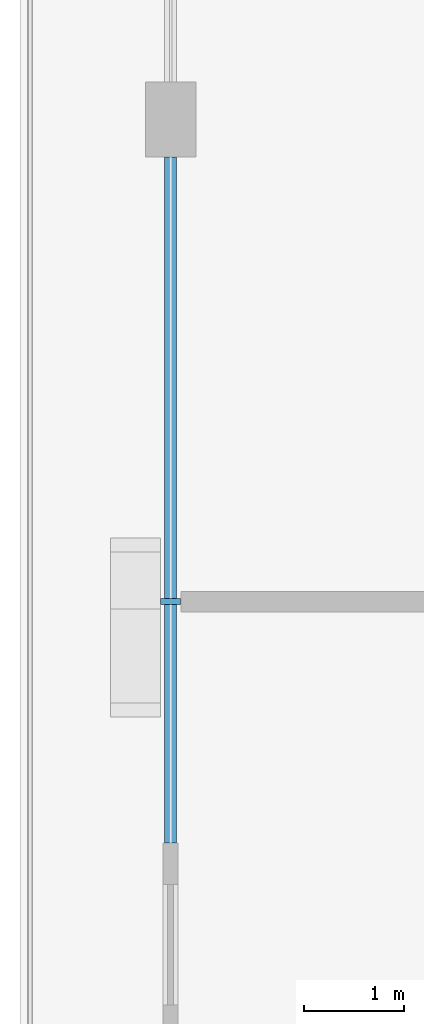
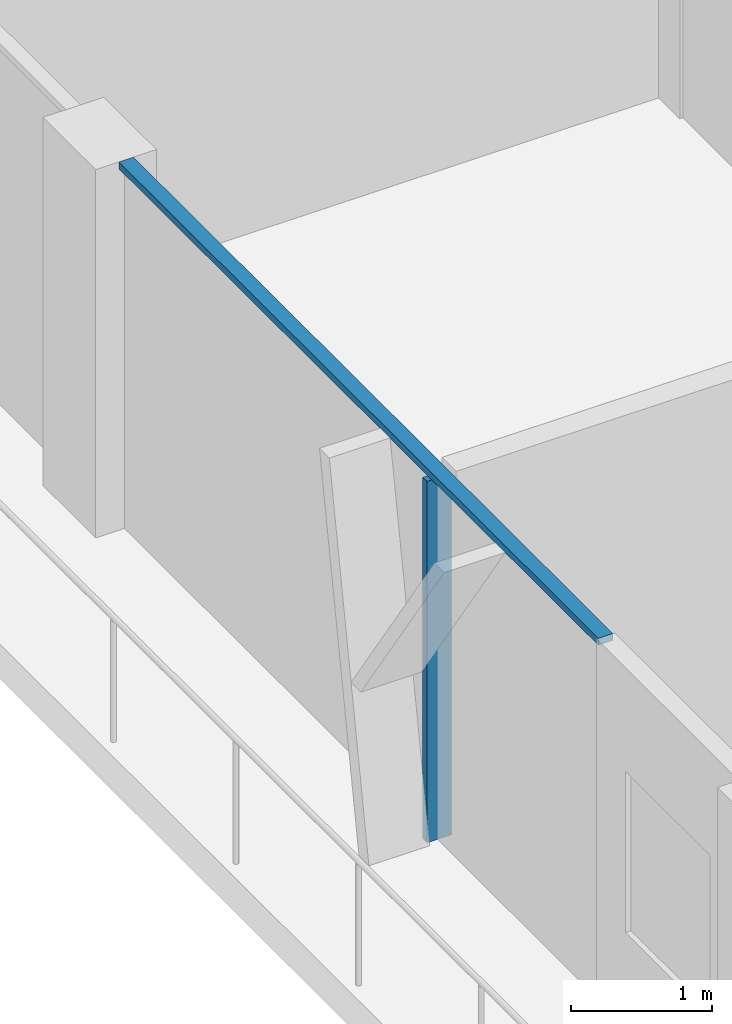
# One storey, part 3 of 22: 2 members, 1 element without a shape of its own.
"""IFC4 building model written with IfcOpenShell, lengths in metres."""

from ifc_helpers import new_model, si_unit, direction, frame, origin, origin_2d, place, context, subcontext, project, spatial, rectangle, extrude, material, layer, layer_set, material_profile, profile_set, type_object, element, aggregate, save


model = new_model("IFC4")

# Units and contexts
model_context = context("Model", 3, precision=1e-05, world=origin(), true_north=direction((0.0, 1.0)))
body_context = subcontext(model_context, "Body", "Model", "MODEL_VIEW")
ifc_project = project(units=[si_unit("LENGTHUNIT", "METRE"), si_unit("AREAUNIT", "SQUARE_METRE"), si_unit("VOLUMEUNIT", "CUBIC_METRE"), si_unit("PLANEANGLEUNIT", "RADIAN"), si_unit("MASSUNIT", "GRAM", prefix="KILO")], contexts=[model_context])

# Site, building, storey
site_placement = place(None, origin())
site = spatial("IfcSite", under=ifc_project, at=site_placement, CompositionType="ELEMENT")
building_placement = place(site_placement, origin())
building = spatial("IfcBuilding", under=site, at=building_placement, Name="Madar Terraces", CompositionType="ELEMENT")
storey_placement = place(building_placement, frame((0.0, 0.0, 282.60009765625)))
storey = spatial("IfcBuildingStorey", under=building, at=storey_placement, Name="L74", CompositionType="ELEMENT", Elevation=282.60009765625)

# Curtain wall, members
ifc_material_1 = material(Name="Glass, ceramic frit dark grey, with black aluminium frame", Category="aluminium")
ifc_layer = layer(ifc_material_1, 0.199951171875)
ifc_layer_set = layer_set([ifc_layer], Name="Facade curtain wall, fritted glass")
curtain_wall_type = type_object("IfcCurtainWallType", Name="Facade curtain wall, fritted glass", PredefinedType="NOTDEFINED", material=ifc_layer_set)
curtain_wall_placement = place(storey_placement, origin())
curtain_wall = element("IfcCurtainWall", 1, at=curtain_wall_placement, inside=storey, type_object=curtain_wall_type, Name="Outer skin curtain wall west bay 2", PredefinedType="NOTDEFINED")
ifc_material_2 = material(Name="Aluminium, black anodised", Category="aluminium")
ifc_material_profile_1 = material_profile(ifc_material_2, rectangle(XDim=0.199951171875, YDim=0.06005859375, at=origin_2d()), Name="Facade mullion 60x200")
ifc_profile_set_1 = profile_set([ifc_material_profile_1], Name="Aluminium, black anodised")
member_type_1 = type_object("IfcMemberType", Name="Facade mullion 60x200", PredefinedType="MULLION", material=ifc_profile_set_1)
member_1_placement = place(storey_placement, frame((0.0, 28.800048828125, 0.0), z_axis=(0.0, 0.0, 1.0), x_axis=(1.0, 0.0, 0.0)))
member_1 = element("IfcMember", 2, at=member_1_placement, type_object=member_type_1, Name="Mullion 1", PredefinedType="MULLION", context=body_context, shape_type="SweptSolid", body=[
    extrude(rectangle(XDim=0.199951171875, YDim=0.06005859375, at=origin_2d()), origin(), (0.0, 0.0, 1.0), 3.139892578125),
])
ifc_material_3 = material(Name="Aluminium, black anodised", Category="aluminium")
ifc_material_profile_2 = material_profile(ifc_material_3, rectangle(XDim=0.1201171875, YDim=0.06005859375, at=origin_2d()), Name="Facade transom 60x120")
ifc_profile_set_2 = profile_set([ifc_material_profile_2], Name="Aluminium, black anodised")
member_type_2 = type_object("IfcMemberType", Name="Facade transom 60x120", PredefinedType="USERDEFINED", material=ifc_profile_set_2)
member_2_placement = place(storey_placement, frame((0.0, 33.22509765625, 3.169921875), z_axis=(0.0, -1.0, 0.0), x_axis=(1.0, 0.0, 0.0)))
member_2 = element("IfcMember", 3, at=member_2_placement, type_object=member_type_2, Name="Transom 1", ObjectType="TRANSOM", PredefinedType="USERDEFINED", context=body_context, shape_type="SweptSolid", body=[
    extrude(rectangle(XDim=0.1201171875, YDim=0.06005859375, at=origin_2d()), origin(), (0.0, 0.0, 1.0), 6.8251953125),
])
aggregate(curtain_wall, [member_1, member_2])

save(model, "model.ifc")
